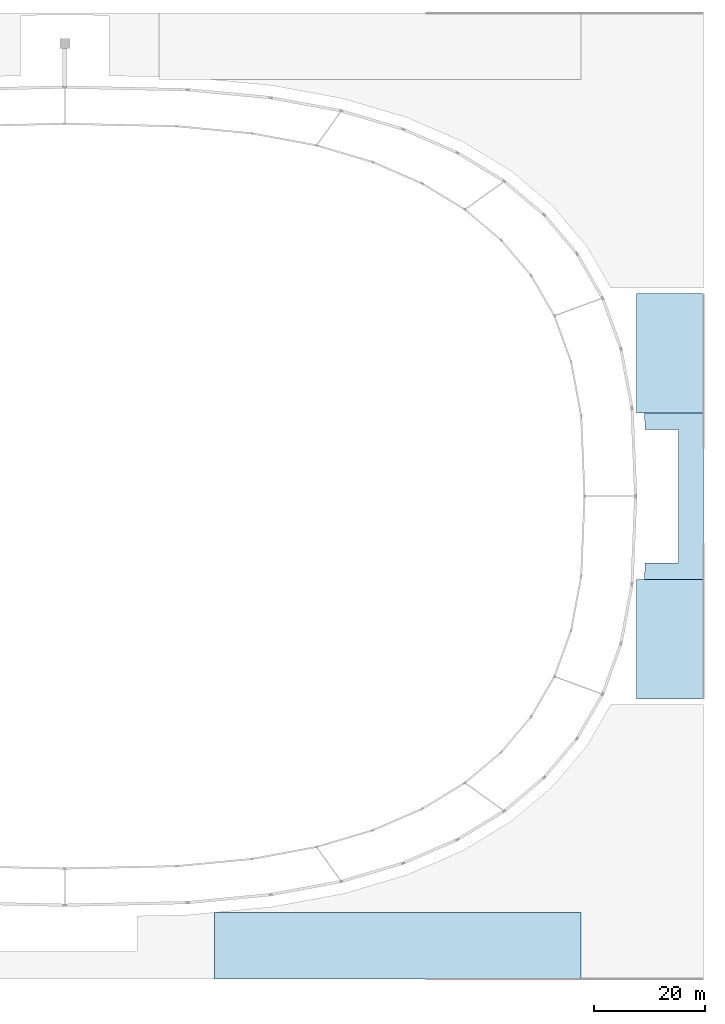
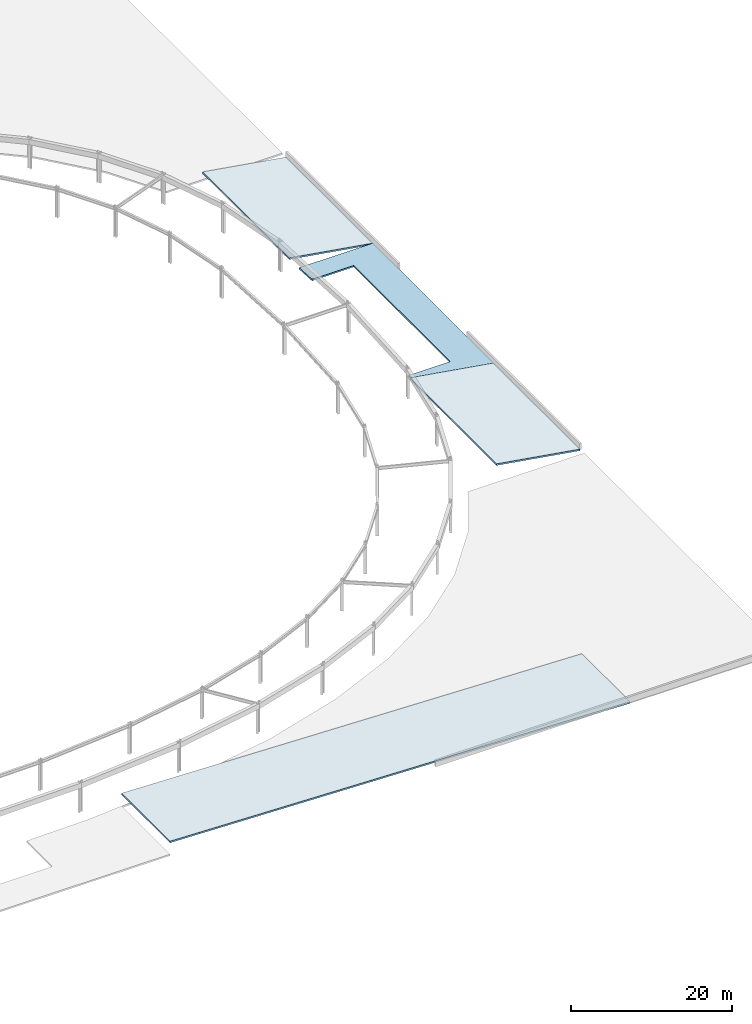
# One storey, part 33 of 45: 4 slabs, 2 elements without a shape of their own.
"""IFC4 building model written with IfcOpenShell, lengths in metres."""

from ifc_helpers import new_model, si_unit, direction, frame, origin, place, context, subcontext, project, spatial, polyline, outline, extrude, material, layer, layer_set, type_object, element, aggregate, save


model = new_model("IFC4")

# Units and contexts
model_context = context("Model", 3, precision=1e-05, world=origin(), true_north=direction((0.0, 1.0)))
body_context = subcontext(model_context, "Body", "Model", "MODEL_VIEW")
ifc_project = project(units=[si_unit("LENGTHUNIT", "METRE"), si_unit("AREAUNIT", "SQUARE_METRE"), si_unit("VOLUMEUNIT", "CUBIC_METRE"), si_unit("PLANEANGLEUNIT", "RADIAN"), si_unit("MASSUNIT", "GRAM", prefix="KILO")], contexts=[model_context])

# Site, building, storey
site_placement = place(None, origin())
site = spatial("IfcSite", under=ifc_project, at=site_placement, CompositionType="ELEMENT")
building_placement = place(site_placement, origin())
building = spatial("IfcBuilding", under=site, at=building_placement, Name="Mphavela Belvedere Stadium", CompositionType="ELEMENT")
storey_placement = place(building_placement, frame((0.0, 0.0, 24.0)))
storey = spatial("IfcBuildingStorey", under=building, at=storey_placement, Name="L05", CompositionType="ELEMENT", Elevation=24.0)

# Roof, slab
ifc_material_1 = material(Name="Standing-seam zinc roofing membrane")
roof_type = type_object("IfcRoofType", Name="ROOF-PEDIMENT-ASSY", PredefinedType="GABLE_ROOF", material=ifc_material_1)
roof_1_placement = place(storey_placement, origin())
roof_1 = element("IfcRoof", 1, at=roof_1_placement, inside=storey, type_object=roof_type, Name="South Axial Triumphal Peristyle Portico classical pediment roof", PredefinedType="GABLE_ROOF")
ifc_material_2 = material(Name="Standing-seam zinc insulated roof over Concrete C40/50", Category="concrete")
ifc_layer = layer(ifc_material_2, 0.239990234375)
ifc_layer_set = layer_set([ifc_layer], Name="Standing-seam zinc insulated roof over Concrete C40/50")
slab_type = type_object("IfcSlabType", Name="SLB-ROOF-ZINC-240", PredefinedType="ROOF", material=ifc_layer_set)
slab_1_placement = place(storey_placement, frame((142.0, 0.0, 2.199951171875), z_axis=(0.029531828515, 0.0, 0.999563840435), x_axis=(0.999563840435, 0.0, -0.029531828515)))
slab_1 = element("IfcSlab", 2, at=slab_1_placement, type_object=slab_type, Name="South Axial Triumphal Peristyle Portico classical pediment slope E", PredefinedType="ROOF", context=body_context, shape_type="SweptSolid", body=[
    extrude(outline(polyline([(0.0, 0.0), (66.02879909231045, 0.0), (66.02879909231045, 12.0), (0.0, 12.0), (0.0, 0.0)])), origin(), (0.0, 0.0, -1.0), 0.239990234375),
])
aggregate(roof_1, [slab_1])

# Roof, slabs
roof_2_placement = place(storey_placement, origin())
roof_2 = element("IfcRoof", 3, at=roof_2_placement, inside=storey, type_object=roof_type, Name="East Planted Eaves Peristyle Colonnade classical pediment roof", PredefinedType="GABLE_ROOF")
slab_2_placement = place(storey_placement, origin())
slab_2 = element("IfcSlab", 4, at=slab_2_placement, type_object=slab_type, Name="East Planted Eaves Peristyle Colonnade insulated roof deck 2", PredefinedType="ROOF", context=body_context, shape_type="SweptSolid", body=[
    extrude(outline(polyline([(219.5185546875, 75.0), (225.5, 75.0), (225.5, 99.0), (219.5185546875, 99.0), (219.392822265625, 102.0), (230.0, 102.0), (230.0, 72.0), (219.392822265625, 72.0), (219.5185546875, 75.0)])), origin(), (0.0, 0.0, 1.0), 0.239990234375),
])
slab_3_placement = place(storey_placement, frame((218.0, 50.5, 2.199951171875), z_axis=(0.161194163827, 0.0, 0.986922713057), x_axis=(0.986922713057, 0.0, -0.161194163827)))
slab_3 = element("IfcSlab", 5, at=slab_3_placement, type_object=slab_type, Name="East Planted Eaves Peristyle Colonnade classical pediment slope S", PredefinedType="ROOF", context=body_context, shape_type="SweptSolid", body=[
    extrude(outline(polyline([(0.0, 0.0), (12.15900682113987, 0.0), (12.15900682113987, 21.5), (0.0, 21.5), (0.0, 0.0)])), origin(), (0.0, 0.0, -1.0), 0.239990234375),
])
slab_4_placement = place(storey_placement, frame((218.0, 102.0, 2.199951171875), z_axis=(0.161194163827, 0.0, 0.986922713057), x_axis=(0.986922713057, 0.0, -0.161194163827)))
slab_4 = element("IfcSlab", 6, at=slab_4_placement, type_object=slab_type, Name="East Planted Eaves Peristyle Colonnade classical pediment slope N", PredefinedType="ROOF", context=body_context, shape_type="SweptSolid", body=[
    extrude(outline(polyline([(0.0, 0.0), (12.15900682113987, 0.0), (12.15900682113987, 21.5), (0.0, 21.5), (0.0, 0.0)])), origin(), (0.0, 0.0, -1.0), 0.239990234375),
])
aggregate(roof_2, [slab_2, slab_3, slab_4])

save(model, "model.ifc")
